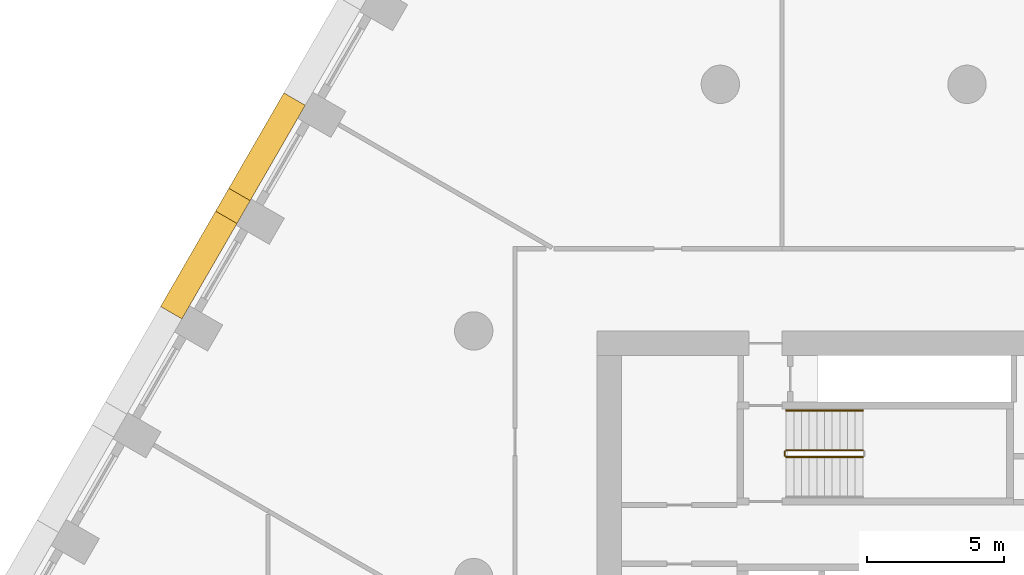
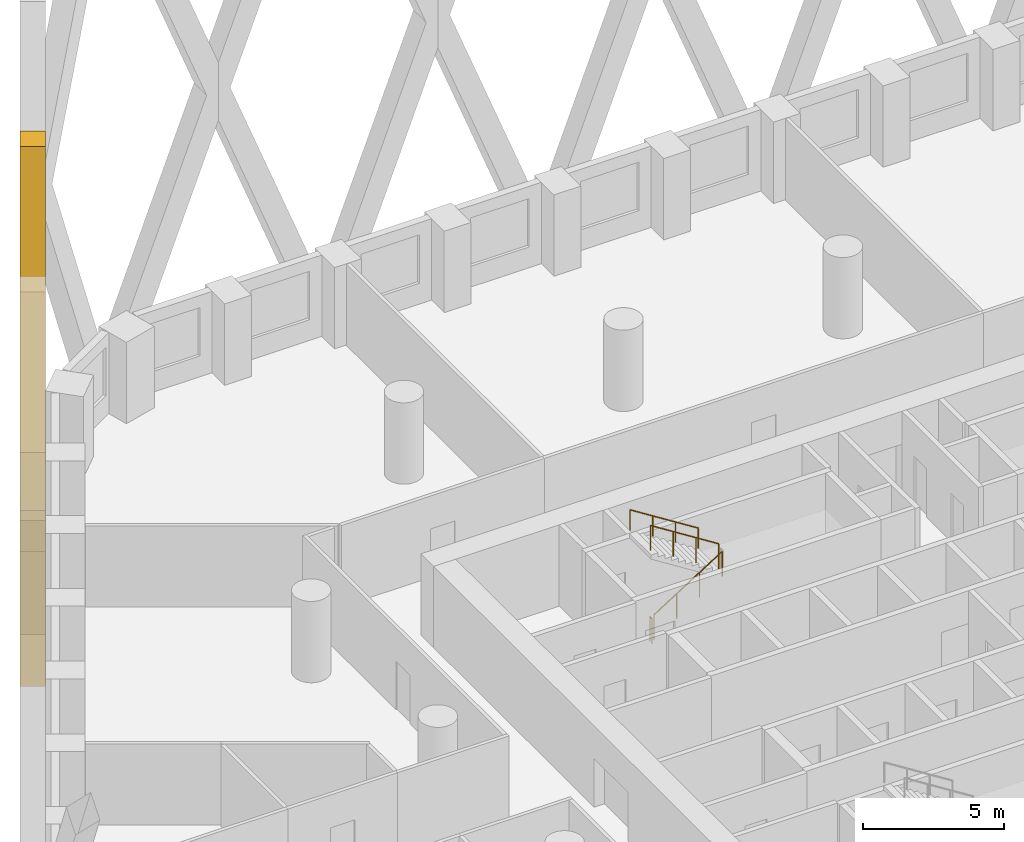
# One storey, part 15 of 18: 4 railings, 1 covering.
"""IFC4 building model written with IfcOpenShell, lengths in metres."""

from ifc_helpers import new_model, si_unit, direction, frame, origin, origin_2d, place, context, subcontext, project, spatial, polyline, circle, outline, extrude, material, type_object, element, save


model = new_model("IFC4")

# Units and contexts
model_context = context("Model", 3, precision=1e-05, world=origin(), true_north=direction((0.0, 1.0)))
body_context = subcontext(model_context, "Body", "Model", "MODEL_VIEW")
ifc_project = project(units=[si_unit("LENGTHUNIT", "METRE"), si_unit("AREAUNIT", "SQUARE_METRE"), si_unit("VOLUMEUNIT", "CUBIC_METRE"), si_unit("PLANEANGLEUNIT", "RADIAN"), si_unit("MASSUNIT", "GRAM", prefix="KILO")], contexts=[model_context])

# Site, building, storey
site_placement = place(None, origin())
site = spatial("IfcSite", under=ifc_project, at=site_placement, CompositionType="ELEMENT")
building_placement = place(site_placement, origin())
building = spatial("IfcBuilding", under=site, at=building_placement, Name="Dhurran Vertical Campus", CompositionType="ELEMENT")
storey_placement = place(building_placement, frame((0.0, 0.0, 30.0)))
storey = spatial("IfcBuildingStorey", under=building, at=storey_placement, Name="L06", CompositionType="ELEMENT", Elevation=30.0)

# Covering
ifc_material_1 = material(Name="Precast concrete C50/60", Category="concrete")
covering_type = type_object("IfcCoveringType", Name="Folded precast fin lattice diamond", PredefinedType="USERDEFINED", material=ifc_material_1)
covering_placement = place(storey_placement, frame((-28.647216796875, 21.735595703125, 0.0), z_axis=(-0.866013897511, 0.50001992892, 0.0), x_axis=(-0.50001992892, -0.866013897511, 0.0)))
element("IfcCovering", 1, at=covering_placement, inside=storey, type_object=covering_type, Name="FN1 L06.024", ObjectType="FIN", PredefinedType="USERDEFINED", context=body_context, shape_type="SweptSolid", body=[
    extrude(outline(polyline([(9.0, 12.95361328125), (9.0, 10.4462890625), (4.982177734375, 0.0), (4.017822265625, 0.0), (0.0, 10.4462890625), (0.0, 12.95361328125), (4.017822265625, 23.39990234375), (4.982177734375, 23.39990234375), (9.0, 12.95361328125)]), holes=[polyline([(8.517822265625, 11.699951171875), (4.5, 22.146484375), (0.482177734375, 11.699951171875), (4.5, 1.253662109375), (8.517822265625, 11.699951171875)])]), origin(), (0.0, 0.0, 1.0), 0.89990234375),
])

# Railings
ifc_material_2 = material(Name="Stainless steel balustrade", Category="steel")
railing_type_1 = type_object("IfcRailingType", Name="co-RL-GUARD-1100", PredefinedType="GUARDRAIL", material=ifc_material_2)
railing_1_placement = place(storey_placement, frame((-11.10009765625, 8.89990234375, 0.17724609375)))
element("IfcRailing", 2, at=railing_1_placement, inside=storey, type_object=railing_type_1, Name="L06 ST1 stair guard 1", PredefinedType="GUARDRAIL", context=body_context, shape_type="SweptSolid", body=[
    extrude(circle(Radius=0.02392578125, at=origin_2d()), frame((0.0, 0.0, 1.076171875), z_axis=(0.844908973607, 0.0, 0.534910110503), x_axis=(0.0, 1.0, 0.0)), (0.0, 0.0, 1.0), 3.31396484375),
    extrude(circle(Radius=0.02099609375, at=origin_2d()), origin(), (0.0, 0.0, 1.0), 1.052001953125),
    extrude(circle(Radius=0.02099609375, at=origin_2d()), frame((0.933349609375, 0.0, 0.5908203125)), (0.0, 0.0, 1.0), 1.052001953125),
    extrude(circle(Radius=0.02099609375, at=origin_2d()), frame((1.86669921875, 0.0, 1.181884765625)), (0.0, 0.0, 1.0), 1.052001953125),
    extrude(circle(Radius=0.02099609375, at=origin_2d()), frame((2.800048828125, 0.0, 1.772705078125)), (0.0, 0.0, 1.0), 1.052001953125),
])
railing_2_placement = place(storey_placement, frame((-8.300048828125, 9.14990234375, 2.127197265625)))
element("IfcRailing", 3, at=railing_2_placement, inside=storey, type_object=railing_type_1, Name="L06 ST1 stair guard 3", PredefinedType="GUARDRAIL", context=body_context, shape_type="SweptSolid", body=[
    extrude(circle(Radius=0.02392578125, at=origin_2d()), frame((0.0, 0.0, 1.076171875), z_axis=(-0.844908973607, 0.0, 0.534910110503), x_axis=(0.0, -1.0, 0.0)), (0.0, 0.0, 1.0), 3.31396484375),
    extrude(circle(Radius=0.02099609375, at=origin_2d()), origin(), (0.0, 0.0, 1.0), 1.052001953125),
    extrude(circle(Radius=0.02099609375, at=origin_2d()), frame((-0.933349609375, 0.0, 0.5908203125)), (0.0, 0.0, 1.0), 1.052001953125),
    extrude(circle(Radius=0.02099609375, at=origin_2d()), frame((-1.86669921875, 0.0, 1.181884765625)), (0.0, 0.0, 1.0), 1.052001953125),
    extrude(circle(Radius=0.02099609375, at=origin_2d()), frame((-2.800048828125, 0.0, 1.772705078125)), (0.0, 0.0, 1.0), 1.052001953125),
])
railing_3_placement = place(storey_placement, frame((-11.14990234375, 8.949951171875, 0.0)))
element("IfcRailing", 4, at=railing_3_placement, inside=storey, type_object=railing_type_1, Name="L06 ST1 stair guard 4", PredefinedType="GUARDRAIL", context=body_context, shape_type="SweptSolid", body=[
    extrude(circle(Radius=0.02392578125, at=origin_2d()), frame((0.0, 0.0, 1.076171875), z_axis=(0.0, 1.0, 0.0), x_axis=(-1.0, 0.0, 0.0)), (0.0, 0.0, 1.0), 0.150146484375),
    extrude(circle(Radius=0.02099609375, at=origin_2d()), origin(), (0.0, 0.0, 1.0), 1.052001953125),
    extrude(circle(Radius=0.02099609375, at=origin_2d()), frame((0.0, 0.150146484375, 0.0)), (0.0, 0.0, 1.0), 1.052001953125),
])
ifc_material_3 = material(Name="Stainless steel handrail", Category="steel")
railing_type_2 = type_object("IfcRailingType", Name="co-RL-HANDRAIL-900", PredefinedType="HANDRAIL", material=ifc_material_3)
railing_4_placement = place(storey_placement, frame((-8.300048828125, 10.60009765625, 2.127197265625)))
element("IfcRailing", 5, at=railing_4_placement, inside=storey, type_object=railing_type_2, Name="L06 ST1 stair handrail 2", PredefinedType="HANDRAIL", context=body_context, shape_type="SweptSolid", body=[
    extrude(circle(Radius=0.02392578125, at=origin_2d()), frame((0.0, 0.0, 0.8759765625), z_axis=(-0.844908973607, 0.0, 0.534910110503), x_axis=(0.0, -1.0, 0.0)), (0.0, 0.0, 1.0), 3.31396484375),
    extrude(circle(Radius=0.02099609375, at=origin_2d()), origin(), (0.0, 0.0, 1.0), 0.851806640625),
    extrude(circle(Radius=0.02099609375, at=origin_2d()), frame((-0.933349609375, 0.0, 0.5908203125)), (0.0, 0.0, 1.0), 0.851806640625),
    extrude(circle(Radius=0.02099609375, at=origin_2d()), frame((-1.86669921875, 0.0, 1.181884765625)), (0.0, 0.0, 1.0), 0.851806640625),
    extrude(circle(Radius=0.02099609375, at=origin_2d()), frame((-2.800048828125, 0.0, 1.772705078125)), (0.0, 0.0, 1.0), 0.851806640625),
])

save(model, "model.ifc")
